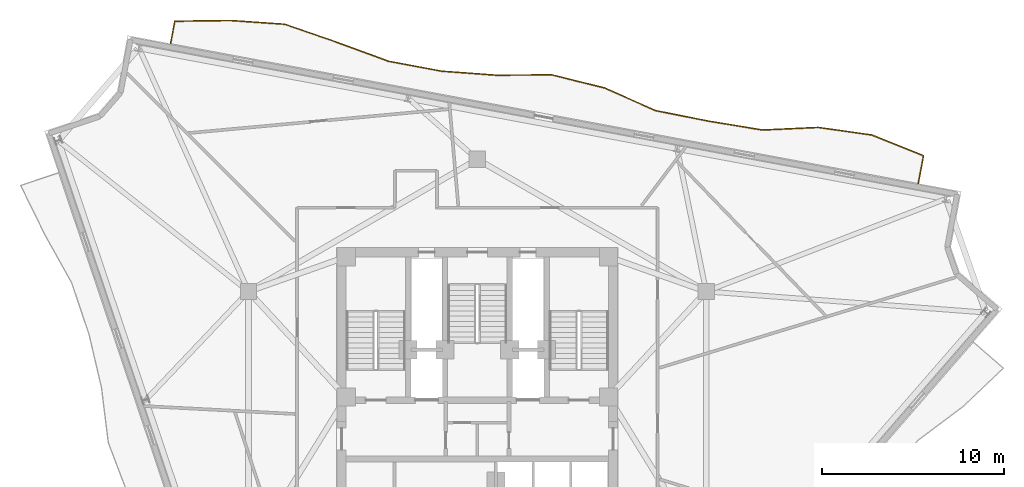
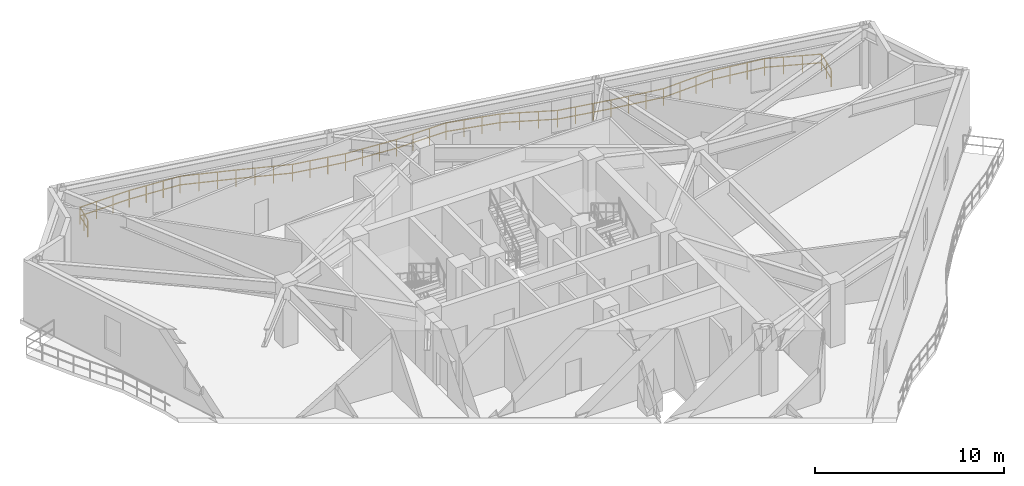
# One storey, part 11 of 11: 1 railing.
"""IFC4 building model written with IfcOpenShell, lengths in metres."""

from ifc_helpers import new_model, si_unit, direction, frame, origin, origin_2d, place, context, subcontext, project, spatial, rectangle, extrude, material, type_object, element, save


model = new_model("IFC4")

# Units and contexts
model_context = context("Model", 3, precision=1e-05, world=origin(), true_north=direction((0.0, 1.0)))
body_context = subcontext(model_context, "Body", "Model", "MODEL_VIEW")
ifc_project = project(units=[si_unit("LENGTHUNIT", "METRE"), si_unit("AREAUNIT", "SQUARE_METRE"), si_unit("VOLUMEUNIT", "CUBIC_METRE"), si_unit("PLANEANGLEUNIT", "RADIAN"), si_unit("MASSUNIT", "GRAM", prefix="KILO")], contexts=[model_context])

# Site, building, storey
site_placement = place(None, origin())
site = spatial("IfcSite", under=ifc_project, at=site_placement, CompositionType="ELEMENT")
building_placement = place(site_placement, origin())
building = spatial("IfcBuilding", under=site, at=building_placement, Name="Apsidion Concourse Tower", CompositionType="ELEMENT")
storey_placement = place(building_placement, frame((0.0, 0.0, 281.89990234375)))
storey = spatial("IfcBuildingStorey", under=building, at=storey_placement, Name="L66", CompositionType="ELEMENT", Elevation=281.89990234375)

# Railing
ifc_material = material(Name="Brushed stainless steel 316", Category="steel")
railing_type = type_object("IfcRailingType", Name="RL-BAL-1120", PredefinedType="BALUSTRADE", material=ifc_material)
railing_placement = place(storey_placement, frame((-16.84228515625, 20.8583984375, 0.0)))
element("IfcRailing", 1, at=railing_placement, inside=storey, type_object=railing_type, Name="L66 Face 3 Rippling Balcony Balustrade", PredefinedType="BALUSTRADE", context=body_context, shape_type="SweptSolid", body=[
    extrude(rectangle(XDim=0.048095703125, YDim=0.048095703125, at=origin_2d()), frame((0.0, 0.0, 1.09619140625), z_axis=(0.183970153766, 0.982931830049, 0.0), x_axis=(-0.982931830049, 0.183970153766, 0.0)), (0.0, 0.0, 1.0), 1.25),
    extrude(rectangle(XDim=0.048095703125, YDim=0.048095703125, at=origin_2d()), frame((0.0, 0.0, 0.5361328125), z_axis=(0.183970153766, 0.982931830049, 0.0), x_axis=(-0.982931830049, 0.183970153766, 0.0)), (0.0, 0.0, 1.0), 1.25),
    extrude(rectangle(XDim=0.048095703125, YDim=0.048095703125, at=origin_2d()), frame((0.22998046875, 1.228759765625, 1.09619140625), z_axis=(0.999909143943, 0.013479757357, 0.0), x_axis=(-0.013479757357, 0.999909143943, 0.0)), (0.0, 0.0, 1.0), 3.042724609375),
    extrude(rectangle(XDim=0.048095703125, YDim=0.048095703125, at=origin_2d()), frame((0.22998046875, 1.228759765625, 0.5361328125), z_axis=(0.999909143943, 0.013479757357, 0.0), x_axis=(-0.013479757357, 0.999909143943, 0.0)), (0.0, 0.0, 1.0), 3.042724609375),
    extrude(rectangle(XDim=0.048095703125, YDim=0.048095703125, at=origin_2d()), frame((3.2724609375, 1.269775390625, 1.09619140625), z_axis=(0.997637826535, -0.068693282547, 0.0), x_axis=(0.068693282547, 0.997637826535, 0.0)), (0.0, 0.0, 1.0), 3.003173828125),
    extrude(rectangle(XDim=0.048095703125, YDim=0.048095703125, at=origin_2d()), frame((3.2724609375, 1.269775390625, 0.5361328125), z_axis=(0.997637826535, -0.068693282547, 0.0), x_axis=(0.068693282547, 0.997637826535, 0.0)), (0.0, 0.0, 1.0), 3.003173828125),
    extrude(rectangle(XDim=0.048095703125, YDim=0.048095703125, at=origin_2d()), frame((6.2685546875, 1.0634765625, 1.09619140625), z_axis=(0.945178394583, -0.326554440198, 0.0), x_axis=(0.326554440198, 0.945178394583, 0.0)), (0.0, 0.0, 1.0), 3.015869140625),
    extrude(rectangle(XDim=0.048095703125, YDim=0.048095703125, at=origin_2d()), frame((6.2685546875, 1.0634765625, 0.5361328125), z_axis=(0.945178394583, -0.326554440198, 0.0), x_axis=(0.326554440198, 0.945178394583, 0.0)), (0.0, 0.0, 1.0), 3.015869140625),
    extrude(rectangle(XDim=0.048095703125, YDim=0.048095703125, at=origin_2d()), frame((9.119140625, 0.07861328125, 1.09619140625), z_axis=(0.938571634521, -0.345084463389, 0.0), x_axis=(0.345084463389, 0.938571634521, 0.0)), (0.0, 0.0, 1.0), 3.025146484375),
    extrude(rectangle(XDim=0.048095703125, YDim=0.048095703125, at=origin_2d()), frame((9.119140625, 0.07861328125, 0.5361328125), z_axis=(0.938571634521, -0.345084463389, 0.0), x_axis=(0.345084463389, 0.938571634521, 0.0)), (0.0, 0.0, 1.0), 3.025146484375),
    extrude(rectangle(XDim=0.048095703125, YDim=0.048095703125, at=origin_2d()), frame((11.95849609375, -0.96533203125, 1.09619140625), z_axis=(0.982947148656, -0.183888289321, 0.0), x_axis=(0.183888289321, 0.982947148656, 0.0)), (0.0, 0.0, 1.0), 2.983154296875),
    extrude(rectangle(XDim=0.048095703125, YDim=0.048095703125, at=origin_2d()), frame((11.95849609375, -0.96533203125, 0.5361328125), z_axis=(0.982947148656, -0.183888289321, 0.0), x_axis=(0.183888289321, 0.982947148656, 0.0)), (0.0, 0.0, 1.0), 2.983154296875),
    extrude(rectangle(XDim=0.048095703125, YDim=0.048095703125, at=origin_2d()), frame((14.890869140625, -1.513916015625, 1.09619140625), z_axis=(0.997317238922, -0.07320058025, 0.0), x_axis=(0.07320058025, 0.997317238922, 0.0)), (0.0, 0.0, 1.0), 3.001708984375),
    extrude(rectangle(XDim=0.048095703125, YDim=0.048095703125, at=origin_2d()), frame((14.890869140625, -1.513916015625, 0.5361328125), z_axis=(0.997317238922, -0.07320058025, 0.0), x_axis=(0.07320058025, 0.997317238922, 0.0)), (0.0, 0.0, 1.0), 3.001708984375),
    extrude(rectangle(XDim=0.048095703125, YDim=0.048095703125, at=origin_2d()), frame((17.884521484375, -1.733642578125, 1.09619140625), z_axis=(0.99998135359, 0.006106756358, 0.0), x_axis=(-0.006106756358, 0.99998135359, 0.0)), (0.0, 0.0, 1.0), 3.038330078125),
    extrude(rectangle(XDim=0.048095703125, YDim=0.048095703125, at=origin_2d()), frame((17.884521484375, -1.733642578125, 0.5361328125), z_axis=(0.99998135359, 0.006106756358, 0.0), x_axis=(-0.006106756358, 0.99998135359, 0.0)), (0.0, 0.0, 1.0), 3.038330078125),
    extrude(rectangle(XDim=0.048095703125, YDim=0.048095703125, at=origin_2d()), frame((20.9228515625, -1.715087890625, 1.09619140625), z_axis=(0.97083546064, -0.239746758818, 0.0), x_axis=(0.239746758818, 0.97083546064, 0.0)), (0.0, 0.0, 1.0), 2.98779296875),
    extrude(rectangle(XDim=0.048095703125, YDim=0.048095703125, at=origin_2d()), frame((20.9228515625, -1.715087890625, 0.5361328125), z_axis=(0.97083546064, -0.239746758818, 0.0), x_axis=(0.239746758818, 0.97083546064, 0.0)), (0.0, 0.0, 1.0), 2.98779296875),
    extrude(rectangle(XDim=0.048095703125, YDim=0.048095703125, at=origin_2d()), frame((23.823486328125, -2.431396484375, 1.09619140625), z_axis=(0.913736015551, -0.406308372896, 0.0), x_axis=(0.406308372896, 0.913736015551, 0.0)), (0.0, 0.0, 1.0), 3.066162109375),
    extrude(rectangle(XDim=0.048095703125, YDim=0.048095703125, at=origin_2d()), frame((23.823486328125, -2.431396484375, 0.5361328125), z_axis=(0.913736015551, -0.406308372896, 0.0), x_axis=(0.406308372896, 0.913736015551, 0.0)), (0.0, 0.0, 1.0), 3.066162109375),
    extrude(rectangle(XDim=0.048095703125, YDim=0.048095703125, at=origin_2d()), frame((26.625244140625, -3.67724609375, 1.09619140625), z_axis=(0.980962793613, -0.194195771189, 0.0), x_axis=(0.194195771189, 0.980962793613, 0.0)), (0.0, 0.0, 1.0), 2.9833984375),
    extrude(rectangle(XDim=0.048095703125, YDim=0.048095703125, at=origin_2d()), frame((26.625244140625, -3.67724609375, 0.5361328125), z_axis=(0.980962793613, -0.194195771189, 0.0), x_axis=(0.194195771189, 0.980962793613, 0.0)), (0.0, 0.0, 1.0), 2.9833984375),
    extrude(rectangle(XDim=0.048095703125, YDim=0.048095703125, at=origin_2d()), frame((29.5517578125, -4.256591796875, 1.09619140625), z_axis=(0.986627334265, -0.162992341172, 0.0), x_axis=(0.162992341172, 0.986627334265, 0.0)), (0.0, 0.0, 1.0), 2.983642578125),
    extrude(rectangle(XDim=0.048095703125, YDim=0.048095703125, at=origin_2d()), frame((29.5517578125, -4.256591796875, 0.5361328125), z_axis=(0.986627334265, -0.162992341172, 0.0), x_axis=(0.162992341172, 0.986627334265, 0.0)), (0.0, 0.0, 1.0), 2.983642578125),
    extrude(rectangle(XDim=0.048095703125, YDim=0.048095703125, at=origin_2d()), frame((32.49560546875, -4.742919921875, 1.09619140625), z_axis=(0.998928239276, 0.04628577295, 0.0), x_axis=(-0.04628577295, 0.998928239276, 0.0)), (0.0, 0.0, 1.0), 3.064453125),
    extrude(rectangle(XDim=0.048095703125, YDim=0.048095703125, at=origin_2d()), frame((32.49560546875, -4.742919921875, 0.5361328125), z_axis=(0.998928239276, 0.04628577295, 0.0), x_axis=(-0.04628577295, 0.998928239276, 0.0)), (0.0, 0.0, 1.0), 3.064453125),
    extrude(rectangle(XDim=0.048095703125, YDim=0.048095703125, at=origin_2d()), frame((35.556884765625, -4.60107421875, 1.09619140625), z_axis=(0.990165816035, -0.139898737509, 0.0), x_axis=(0.139898737509, 0.990165816035, 0.0)), (0.0, 0.0, 1.0), 2.98583984375),
    extrude(rectangle(XDim=0.048095703125, YDim=0.048095703125, at=origin_2d()), frame((35.556884765625, -4.60107421875, 0.5361328125), z_axis=(0.990165816035, -0.139898737509, 0.0), x_axis=(0.139898737509, 0.990165816035, 0.0)), (0.0, 0.0, 1.0), 2.98583984375),
    extrude(rectangle(XDim=0.048095703125, YDim=0.048095703125, at=origin_2d()), frame((38.513427734375, -5.018798828125, 1.09619140625), z_axis=(0.927521800748, -0.373769058559, 0.0), x_axis=(0.373769058559, 0.927521800748, 0.0)), (0.0, 0.0, 1.0), 3.04248046875),
    extrude(rectangle(XDim=0.048095703125, YDim=0.048095703125, at=origin_2d()), frame((38.513427734375, -5.018798828125, 0.5361328125), z_axis=(0.927521800748, -0.373769058559, 0.0), x_axis=(0.373769058559, 0.927521800748, 0.0)), (0.0, 0.0, 1.0), 3.04248046875),
    extrude(rectangle(XDim=0.048095703125, YDim=0.048095703125, at=origin_2d()), frame((41.33544921875, -6.156005859375, 1.09619140625), z_axis=(-0.183831989108, -0.982957679547, 0.0), x_axis=(0.982957679547, -0.183831989108, 0.0)), (0.0, 0.0, 1.0), 1.5498046875),
    extrude(rectangle(XDim=0.048095703125, YDim=0.048095703125, at=origin_2d()), frame((41.33544921875, -6.156005859375, 0.5361328125), z_axis=(-0.183831989108, -0.982957679547, 0.0), x_axis=(0.982957679547, -0.183831989108, 0.0)), (0.0, 0.0, 1.0), 1.5498046875),
    extrude(rectangle(XDim=0.0419921875, YDim=0.0419921875, at=origin_2d()), origin(), (0.0, 0.0, 1.0), 1.072021484375),
    extrude(rectangle(XDim=0.0419921875, YDim=0.0419921875, at=origin_2d()), frame((0.114990234375, 0.6142578125, 0.0)), (0.0, 0.0, 1.0), 1.072021484375),
    extrude(rectangle(XDim=0.0419921875, YDim=0.0419921875, at=origin_2d()), frame((0.22998046875, 1.228759765625, 0.0)), (0.0, 0.0, 1.0), 1.072021484375),
    extrude(rectangle(XDim=0.0419921875, YDim=0.0419921875, at=origin_2d()), frame((1.244140625, 1.242431640625, 0.0)), (0.0, 0.0, 1.0), 1.072021484375),
    extrude(rectangle(XDim=0.0419921875, YDim=0.0419921875, at=origin_2d()), frame((2.25830078125, 1.256103515625, 0.0)), (0.0, 0.0, 1.0), 1.072021484375),
    extrude(rectangle(XDim=0.0419921875, YDim=0.0419921875, at=origin_2d()), frame((3.2724609375, 1.269775390625, 0.0)), (0.0, 0.0, 1.0), 1.072021484375),
    extrude(rectangle(XDim=0.0419921875, YDim=0.0419921875, at=origin_2d()), frame((4.271240234375, 1.200927734375, 0.0)), (0.0, 0.0, 1.0), 1.072021484375),
    extrude(rectangle(XDim=0.0419921875, YDim=0.0419921875, at=origin_2d()), frame((5.269775390625, 1.13232421875, 0.0)), (0.0, 0.0, 1.0), 1.072021484375),
    extrude(rectangle(XDim=0.0419921875, YDim=0.0419921875, at=origin_2d()), frame((6.2685546875, 1.0634765625, 0.0)), (0.0, 0.0, 1.0), 1.072021484375),
    extrude(rectangle(XDim=0.0419921875, YDim=0.0419921875, at=origin_2d()), frame((7.21875, 0.735107421875, 0.0)), (0.0, 0.0, 1.0), 1.072021484375),
    extrude(rectangle(XDim=0.0419921875, YDim=0.0419921875, at=origin_2d()), frame((8.1689453125, 0.406982421875, 0.0)), (0.0, 0.0, 1.0), 1.072021484375),
    extrude(rectangle(XDim=0.0419921875, YDim=0.0419921875, at=origin_2d()), frame((9.119140625, 0.07861328125, 0.0)), (0.0, 0.0, 1.0), 1.072021484375),
    extrude(rectangle(XDim=0.0419921875, YDim=0.0419921875, at=origin_2d()), frame((10.065673828125, -0.269287109375, 0.0)), (0.0, 0.0, 1.0), 1.072021484375),
    extrude(rectangle(XDim=0.0419921875, YDim=0.0419921875, at=origin_2d()), frame((11.011962890625, -0.617431640625, 0.0)), (0.0, 0.0, 1.0), 1.072021484375),
    extrude(rectangle(XDim=0.0419921875, YDim=0.0419921875, at=origin_2d()), frame((11.95849609375, -0.96533203125, 0.0)), (0.0, 0.0, 1.0), 1.072021484375),
    extrude(rectangle(XDim=0.0419921875, YDim=0.0419921875, at=origin_2d()), frame((12.93603515625, -1.148193359375, 0.0)), (0.0, 0.0, 1.0), 1.072021484375),
    extrude(rectangle(XDim=0.0419921875, YDim=0.0419921875, at=origin_2d()), frame((13.913330078125, -1.3310546875, 0.0)), (0.0, 0.0, 1.0), 1.072021484375),
    extrude(rectangle(XDim=0.0419921875, YDim=0.0419921875, at=origin_2d()), frame((14.890869140625, -1.513916015625, 0.0)), (0.0, 0.0, 1.0), 1.072021484375),
    extrude(rectangle(XDim=0.0419921875, YDim=0.0419921875, at=origin_2d()), frame((15.888671875, -1.587158203125, 0.0)), (0.0, 0.0, 1.0), 1.072021484375),
    extrude(rectangle(XDim=0.0419921875, YDim=0.0419921875, at=origin_2d()), frame((16.88671875, -1.660400390625, 0.0)), (0.0, 0.0, 1.0), 1.072021484375),
    extrude(rectangle(XDim=0.0419921875, YDim=0.0419921875, at=origin_2d()), frame((17.884521484375, -1.733642578125, 0.0)), (0.0, 0.0, 1.0), 1.072021484375),
    extrude(rectangle(XDim=0.0419921875, YDim=0.0419921875, at=origin_2d()), frame((18.897216796875, -1.7275390625, 0.0)), (0.0, 0.0, 1.0), 1.072021484375),
    extrude(rectangle(XDim=0.0419921875, YDim=0.0419921875, at=origin_2d()), frame((19.91015625, -1.72119140625, 0.0)), (0.0, 0.0, 1.0), 1.072021484375),
    extrude(rectangle(XDim=0.0419921875, YDim=0.0419921875, at=origin_2d()), frame((20.9228515625, -1.715087890625, 0.0)), (0.0, 0.0, 1.0), 1.072021484375),
    extrude(rectangle(XDim=0.0419921875, YDim=0.0419921875, at=origin_2d()), frame((21.8896484375, -1.953857421875, 0.0)), (0.0, 0.0, 1.0), 1.072021484375),
    extrude(rectangle(XDim=0.0419921875, YDim=0.0419921875, at=origin_2d()), frame((22.856689453125, -2.192626953125, 0.0)), (0.0, 0.0, 1.0), 1.072021484375),
    extrude(rectangle(XDim=0.0419921875, YDim=0.0419921875, at=origin_2d()), frame((23.823486328125, -2.431396484375, 0.0)), (0.0, 0.0, 1.0), 1.072021484375),
    extrude(rectangle(XDim=0.0419921875, YDim=0.0419921875, at=origin_2d()), frame((24.75732421875, -2.8466796875, 0.0)), (0.0, 0.0, 1.0), 1.072021484375),
    extrude(rectangle(XDim=0.0419921875, YDim=0.0419921875, at=origin_2d()), frame((25.69140625, -3.261962890625, 0.0)), (0.0, 0.0, 1.0), 1.072021484375),
    extrude(rectangle(XDim=0.0419921875, YDim=0.0419921875, at=origin_2d()), frame((26.625244140625, -3.67724609375, 0.0)), (0.0, 0.0, 1.0), 1.072021484375),
    extrude(rectangle(XDim=0.0419921875, YDim=0.0419921875, at=origin_2d()), frame((27.600830078125, -3.870361328125, 0.0)), (0.0, 0.0, 1.0), 1.072021484375),
    extrude(rectangle(XDim=0.0419921875, YDim=0.0419921875, at=origin_2d()), frame((28.576171875, -4.0634765625, 0.0)), (0.0, 0.0, 1.0), 1.072021484375),
    extrude(rectangle(XDim=0.0419921875, YDim=0.0419921875, at=origin_2d()), frame((29.5517578125, -4.256591796875, 0.0)), (0.0, 0.0, 1.0), 1.072021484375),
    extrude(rectangle(XDim=0.0419921875, YDim=0.0419921875, at=origin_2d()), frame((30.532958984375, -4.418701171875, 0.0)), (0.0, 0.0, 1.0), 1.072021484375),
    extrude(rectangle(XDim=0.0419921875, YDim=0.0419921875, at=origin_2d()), frame((31.514404296875, -4.580810546875, 0.0)), (0.0, 0.0, 1.0), 1.072021484375),
    extrude(rectangle(XDim=0.0419921875, YDim=0.0419921875, at=origin_2d()), frame((32.49560546875, -4.742919921875, 0.0)), (0.0, 0.0, 1.0), 1.072021484375),
    extrude(rectangle(XDim=0.0419921875, YDim=0.0419921875, at=origin_2d()), frame((33.51611328125, -4.695556640625, 0.0)), (0.0, 0.0, 1.0), 1.072021484375),
    extrude(rectangle(XDim=0.0419921875, YDim=0.0419921875, at=origin_2d()), frame((34.536376953125, -4.6484375, 0.0)), (0.0, 0.0, 1.0), 1.072021484375),
    extrude(rectangle(XDim=0.0419921875, YDim=0.0419921875, at=origin_2d()), frame((35.556884765625, -4.60107421875, 0.0)), (0.0, 0.0, 1.0), 1.072021484375),
    extrude(rectangle(XDim=0.0419921875, YDim=0.0419921875, at=origin_2d()), frame((36.54248046875, -4.740234375, 0.0)), (0.0, 0.0, 1.0), 1.072021484375),
    extrude(rectangle(XDim=0.0419921875, YDim=0.0419921875, at=origin_2d()), frame((37.52783203125, -4.879638671875, 0.0)), (0.0, 0.0, 1.0), 1.072021484375),
    extrude(rectangle(XDim=0.0419921875, YDim=0.0419921875, at=origin_2d()), frame((38.513427734375, -5.018798828125, 0.0)), (0.0, 0.0, 1.0), 1.072021484375),
    extrude(rectangle(XDim=0.0419921875, YDim=0.0419921875, at=origin_2d()), frame((39.4541015625, -5.39794921875, 0.0)), (0.0, 0.0, 1.0), 1.072021484375),
    extrude(rectangle(XDim=0.0419921875, YDim=0.0419921875, at=origin_2d()), frame((40.394775390625, -5.77685546875, 0.0)), (0.0, 0.0, 1.0), 1.072021484375),
    extrude(rectangle(XDim=0.0419921875, YDim=0.0419921875, at=origin_2d()), frame((41.33544921875, -6.156005859375, 0.0)), (0.0, 0.0, 1.0), 1.072021484375),
    extrude(rectangle(XDim=0.0419921875, YDim=0.0419921875, at=origin_2d()), frame((41.19287109375, -6.917724609375, 0.0)), (0.0, 0.0, 1.0), 1.072021484375),
    extrude(rectangle(XDim=0.0419921875, YDim=0.0419921875, at=origin_2d()), frame((41.050537109375, -7.679443359375, 0.0)), (0.0, 0.0, 1.0), 1.072021484375),
])

save(model, "model.ifc")
